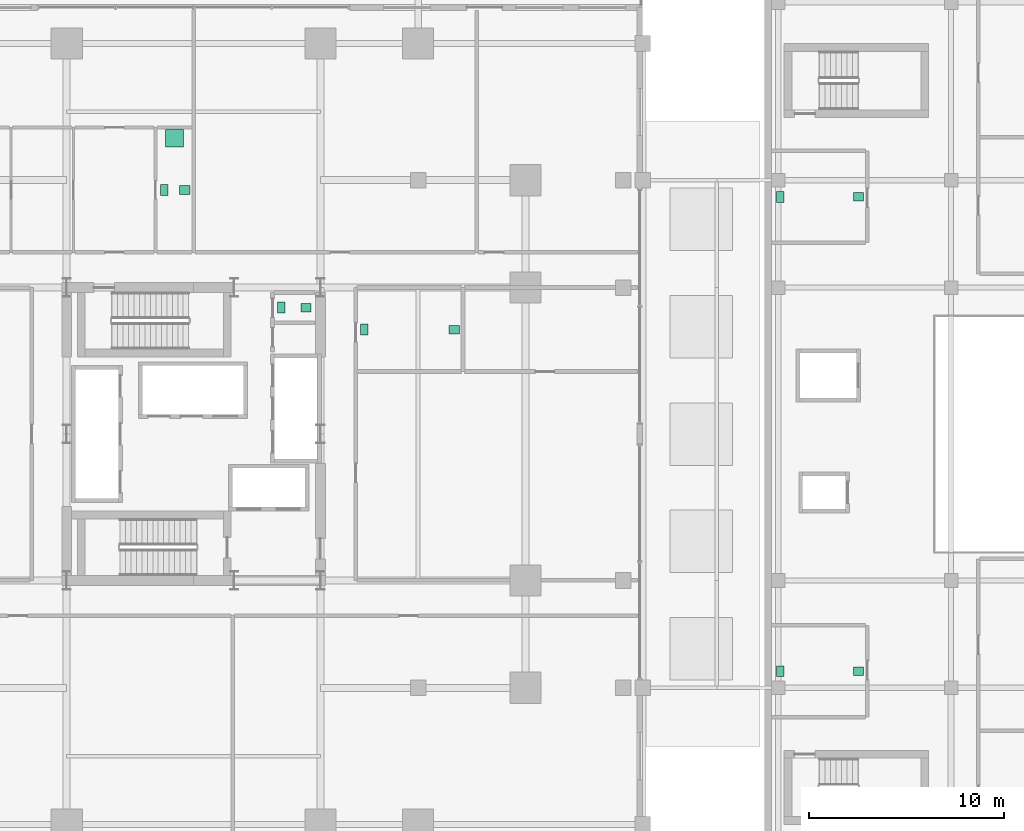
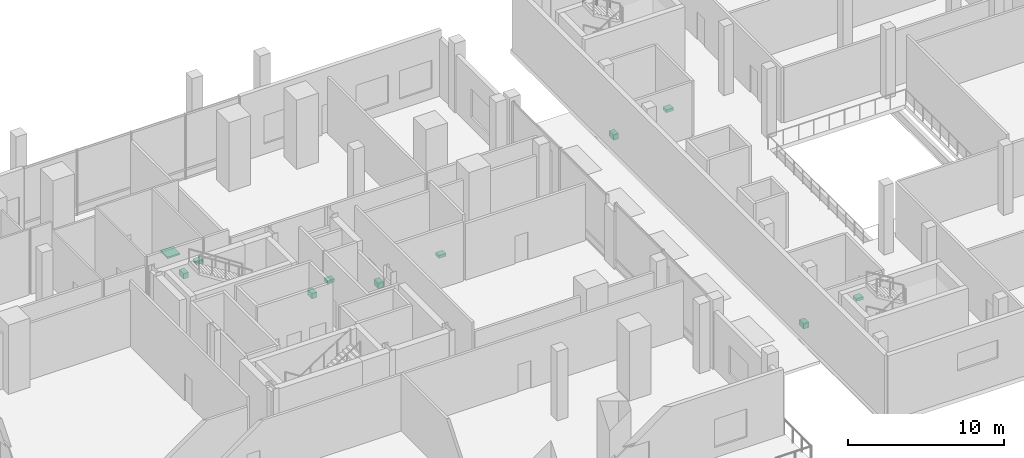
# One storey, part 36 of 36: 11 sanitary terminals.
"""IFC4 building model written with IfcOpenShell, lengths in metres."""

from ifc_helpers import new_model, si_unit, direction, frame, origin, origin_2d, place, context, subcontext, project, spatial, rectangle, extrude, material, type_object, element, save


model = new_model("IFC4")

# Units and contexts
model_context = context("Model", 3, precision=1e-05, world=origin(), true_north=direction((0.0, 1.0)))
body_context = subcontext(model_context, "Body", "Model", "MODEL_VIEW")
ifc_project = project(units=[si_unit("LENGTHUNIT", "METRE"), si_unit("AREAUNIT", "SQUARE_METRE"), si_unit("VOLUMEUNIT", "CUBIC_METRE"), si_unit("PLANEANGLEUNIT", "RADIAN"), si_unit("MASSUNIT", "GRAM", prefix="KILO")], contexts=[model_context])

# Site, building, storey
site_placement = place(None, origin())
site = spatial("IfcSite", under=ifc_project, at=site_placement, CompositionType="ELEMENT")
building_placement = place(site_placement, origin())
building = spatial("IfcBuilding", under=site, at=building_placement, Name="Barlavira Tower and Art Museum", CompositionType="ELEMENT")
storey_placement = place(building_placement, frame((0.0, 0.0, 11.39990234375)))
storey = spatial("IfcBuildingStorey", under=building, at=storey_placement, Name="L02", CompositionType="ELEMENT", Elevation=11.39990234375)

# Sanitary terminals
ifc_material = material(Name="Vitreous glazed ceramic", Category="ceramic")
sanitary_terminal_type_1 = type_object("IfcSanitaryTerminalType", Name="Countertop Ceramic Wash Hand Basin", PredefinedType="WASHHANDBASIN", material=ifc_material)
for number, where, z_axis, x_axis, name in (
    (1, (5.75, 6.47509765625, 0.740234375), (0.0, 0.0, 1.0), (1.0, 0.0, 0.0), "L02-C-WC1 Wash Basin"),
    (2, (-0.449951171875, 12.5, 0.740234375), (0.0, 0.0, 1.0), (1.0, 0.0, 0.0), "L02-P2-NW-BTH1 Wash Basin"),
    (3, (13.35009765625, 5.35009765625, 0.740234375), (0.0, 0.0, 1.0), (1.0, 0.0, 0.0), "L02-POD-AWC Wash Basin"),
    (4, (34.050048828125, 12.14990234375, 0.740234375), (0.0, 0.0, 1.0), (1.0, 0.0, 0.0), "L02-MUS-WC Wash Basin"),
    (5, (34.050048828125, -12.14990234375, 0.740234375), (0.0, 0.0, 1.0), (1.0, 0.0, 0.0), "L02-MUS-AWC Wash Basin"),
):
    element("IfcSanitaryTerminal", number, at=place(storey_placement, frame(where, z_axis=z_axis, x_axis=x_axis)), inside=storey, type_object=sanitary_terminal_type_1, Name=name, PredefinedType="WASHHANDBASIN", context=body_context, shape_type="SweptSolid", body=[
        extrude(rectangle(XDim=0.52001953125, YDim=0.43994140625, at=origin_2d()), origin(), (0.0, 0.0, 1.0), 0.219970703125),
    ])
sanitary_terminal_type_2 = type_object("IfcSanitaryTerminalType", Name="Walk-In Thermostatic Rain Shower Unit", PredefinedType="SHOWER", material=ifc_material)
sanitary_terminal_placement = place(storey_placement, frame((-0.97509765625, 15.14990234375, 0.0), z_axis=(0.0, 0.0, 1.0), x_axis=(1.0, 0.0, 0.0)))
element("IfcSanitaryTerminal", 6, at=sanitary_terminal_placement, inside=storey, type_object=sanitary_terminal_type_2, Name="L02-P2-NW-BTH1 Rain Shower", PredefinedType="SHOWER", context=body_context, shape_type="SweptSolid", body=[
    extrude(rectangle(XDim=0.89990234375, YDim=0.89990234375, at=origin_2d()), origin(), (0.0, 0.0, 1.0), 0.1201171875),
])
sanitary_terminal_type_3 = type_object("IfcSanitaryTerminalType", Name="Wall-Hung Dual-Flush Vitreous WC Pan", PredefinedType="TOILETPAN", material=ifc_material)
for number, where, z_axis, x_axis, name in (
    (7, (4.5, 6.47509765625, 0.000244140625), (0.0, 0.0, 1.0), (1.0, 0.0, 0.0), "L02-C-WC1 WC Pan"),
    (8, (-1.5, 12.5, 0.000244140625), (0.0, 0.0, 1.0), (1.0, 0.0, 0.0), "L02-P2-NW-BTH1 WC Pan"),
    (9, (8.75, 5.35009765625, 0.000244140625), (0.0, 0.0, 1.0), (1.0, 0.0, 0.0), "L02-POD-AWC WC Pan"),
    (10, (30.050048828125, 12.14990234375, 0.000244140625), (0.0, 0.0, 1.0), (1.0, 0.0, 0.0), "L02-MUS-WC WC Pan"),
    (11, (30.050048828125, -12.14990234375, 0.000244140625), (0.0, 0.0, 1.0), (1.0, 0.0, 0.0), "L02-MUS-AWC WC Pan"),
):
    element("IfcSanitaryTerminal", number, at=place(storey_placement, frame(where, z_axis=z_axis, x_axis=x_axis)), inside=storey, type_object=sanitary_terminal_type_3, Name=name, PredefinedType="TOILETPAN", context=body_context, shape_type="SweptSolid", body=[
        extrude(rectangle(XDim=0.3798828125, YDim=0.56005859375, at=origin_2d()), origin(), (0.0, 0.0, 1.0), 0.419921875),
    ])

save(model, "model.ifc")
